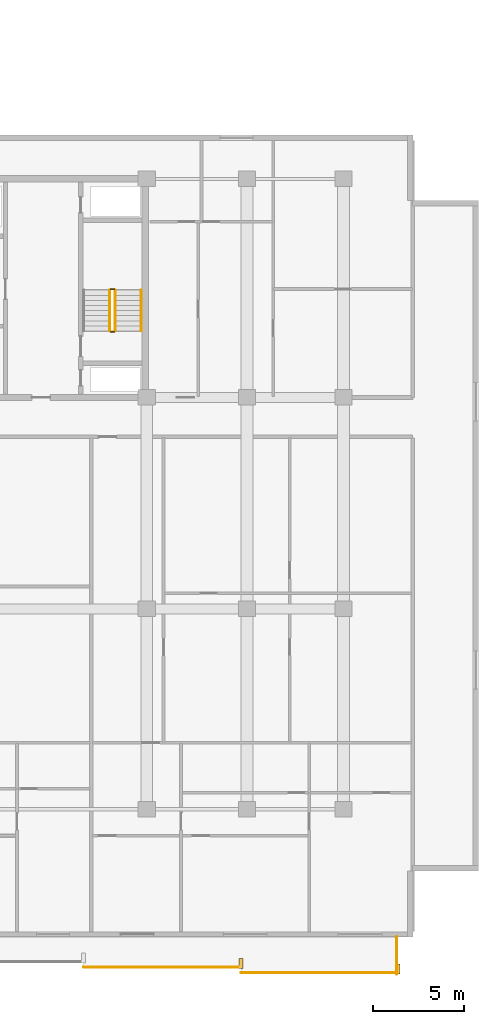
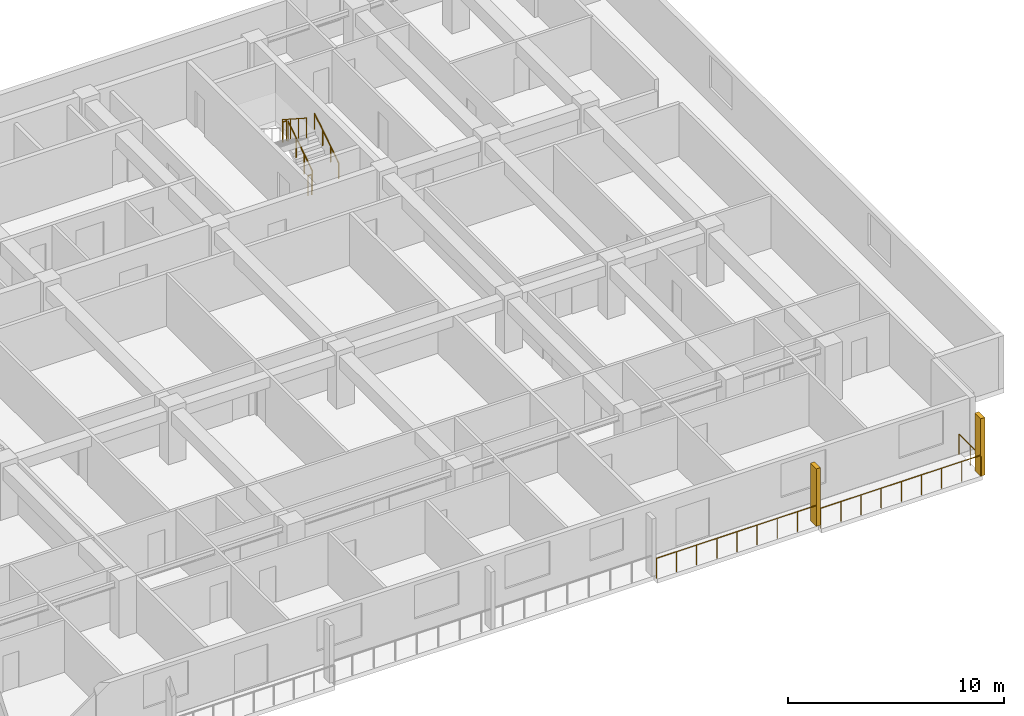
# One storey, part 21 of 23: 8 railings, 2 shading devices.
"""IFC4 building model written with IfcOpenShell, lengths in metres."""

from ifc_helpers import new_model, si_unit, direction, frame, origin, origin_2d, place, context, subcontext, project, spatial, rectangle, circle, extrude, material, type_object, element, save


model = new_model("IFC4")

# Units and contexts
model_context = context("Model", 3, precision=1e-05, world=origin(), true_north=direction((0.0, 1.0)))
body_context = subcontext(model_context, "Body", "Model", "MODEL_VIEW")
ifc_project = project(units=[si_unit("LENGTHUNIT", "METRE"), si_unit("AREAUNIT", "SQUARE_METRE"), si_unit("VOLUMEUNIT", "CUBIC_METRE"), si_unit("PLANEANGLEUNIT", "RADIAN"), si_unit("MASSUNIT", "GRAM", prefix="KILO")], contexts=[model_context])

# Site, building, storey
site_placement = place(None, origin())
site = spatial("IfcSite", under=ifc_project, at=site_placement, CompositionType="ELEMENT")
building_placement = place(site_placement, origin())
building = spatial("IfcBuilding", under=site, at=building_placement, Name="Korimba Cascade Residences", CompositionType="ELEMENT")
storey_placement = place(building_placement, frame((0.0, 0.0, 56.5)))
storey = spatial("IfcBuildingStorey", under=building, at=storey_placement, Name="L15", CompositionType="ELEMENT", Elevation=56.5)

# Railings
ifc_material_1 = material(Name="Laminated Glass and Bronze Balustrade", Category="glass")
railing_type_1 = type_object("IfcRailingType", Name="RLG-LOG-1150", PredefinedType="BALUSTRADE", material=ifc_material_1)
railing_1_placement = place(storey_placement, frame((114.642822265625, -12.8701171875, 0.0)))
element("IfcRailing", 1, at=railing_1_placement, inside=storey, type_object=railing_type_1, Name="L15 Perimeter Guardrail RLG-L15-T2-LOG-05", PredefinedType="BALUSTRADE", context=body_context, shape_type="SweptSolid", body=[
    extrude(circle(Radius=0.02392578125, at=origin_2d()), frame((0.0, 0.0, 1.1259765625), z_axis=(1.0, 0.0, 0.0), x_axis=(0.0, 1.0, 0.0)), (0.0, 0.0, 1.0), 8.628662109375),
    extrude(circle(Radius=0.02099609375, at=origin_2d()), origin(), (0.0, 0.0, 1.0), 1.101806640625),
    extrude(circle(Radius=0.02099609375, at=origin_2d()), frame((1.07861328125, 0.0, 0.0)), (0.0, 0.0, 1.0), 1.101806640625),
    extrude(circle(Radius=0.02099609375, at=origin_2d()), frame((2.1572265625, 0.0, 0.0)), (0.0, 0.0, 1.0), 1.101806640625),
    extrude(circle(Radius=0.02099609375, at=origin_2d()), frame((3.23583984375, 0.0, 0.0)), (0.0, 0.0, 1.0), 1.101806640625),
    extrude(circle(Radius=0.02099609375, at=origin_2d()), frame((4.314453125, 0.0, 0.0)), (0.0, 0.0, 1.0), 1.101806640625),
    extrude(circle(Radius=0.02099609375, at=origin_2d()), frame((5.392822265625, 0.0, 0.0)), (0.0, 0.0, 1.0), 1.101806640625),
    extrude(circle(Radius=0.02099609375, at=origin_2d()), frame((6.471435546875, 0.0, 0.0)), (0.0, 0.0, 1.0), 1.101806640625),
    extrude(circle(Radius=0.02099609375, at=origin_2d()), frame((7.550048828125, 0.0, 0.0)), (0.0, 0.0, 1.0), 1.101806640625),
    extrude(circle(Radius=0.02099609375, at=origin_2d()), frame((8.628662109375, 0.0, 0.0)), (0.0, 0.0, 1.0), 1.101806640625),
])
railing_2_placement = place(storey_placement, frame((123.271484375, -13.169921875, 0.0)))
element("IfcRailing", 2, at=railing_2_placement, inside=storey, type_object=railing_type_1, Name="L15 Perimeter Guardrail RLG-L15-T2-LOG-06", PredefinedType="BALUSTRADE", context=body_context, shape_type="SweptSolid", body=[
    extrude(circle(Radius=0.02392578125, at=origin_2d()), frame((0.0, 0.0, 1.1259765625), z_axis=(1.0, 0.0, 0.0), x_axis=(0.0, 1.0, 0.0)), (0.0, 0.0, 1.0), 8.62841796875),
    extrude(circle(Radius=0.02099609375, at=origin_2d()), origin(), (0.0, 0.0, 1.0), 1.101806640625),
    extrude(circle(Radius=0.02099609375, at=origin_2d()), frame((1.07861328125, 0.0, 0.0)), (0.0, 0.0, 1.0), 1.101806640625),
    extrude(circle(Radius=0.02099609375, at=origin_2d()), frame((2.1572265625, 0.0, 0.0)), (0.0, 0.0, 1.0), 1.101806640625),
    extrude(circle(Radius=0.02099609375, at=origin_2d()), frame((3.235595703125, 0.0, 0.0)), (0.0, 0.0, 1.0), 1.101806640625),
    extrude(circle(Radius=0.02099609375, at=origin_2d()), frame((4.314208984375, 0.0, 0.0)), (0.0, 0.0, 1.0), 1.101806640625),
    extrude(circle(Radius=0.02099609375, at=origin_2d()), frame((5.392822265625, 0.0, 0.0)), (0.0, 0.0, 1.0), 1.101806640625),
    extrude(circle(Radius=0.02099609375, at=origin_2d()), frame((6.47119140625, 0.0, 0.0)), (0.0, 0.0, 1.0), 1.101806640625),
    extrude(circle(Radius=0.02099609375, at=origin_2d()), frame((7.5498046875, 0.0, 0.0)), (0.0, 0.0, 1.0), 1.101806640625),
    extrude(circle(Radius=0.02099609375, at=origin_2d()), frame((8.62841796875, 0.0, 0.0)), (0.0, 0.0, 1.0), 1.101806640625),
])
railing_3_placement = place(storey_placement, frame((131.820068359375, -13.25, 0.0)))
element("IfcRailing", 3, at=railing_3_placement, inside=storey, type_object=railing_type_1, Name="L15 Perimeter Guardrail RLG-L15-T2-LOG-07", PredefinedType="BALUSTRADE", context=body_context, shape_type="SweptSolid", body=[
    extrude(circle(Radius=0.02392578125, at=origin_2d()), frame((0.0, 0.0, 1.1259765625), z_axis=(0.0, 1.0, 0.0), x_axis=(-1.0, 0.0, 0.0)), (0.0, 0.0, 1.0), 2.050048828125),
    extrude(circle(Radius=0.02099609375, at=origin_2d()), origin(), (0.0, 0.0, 1.0), 1.101806640625),
    extrude(circle(Radius=0.02099609375, at=origin_2d()), frame((0.0, 1.02490234375, 0.0)), (0.0, 0.0, 1.0), 1.101806640625),
    extrude(circle(Radius=0.02099609375, at=origin_2d()), frame((0.0, 2.050048828125, 0.0)), (0.0, 0.0, 1.0), 1.101806640625),
])
ifc_material_2 = material(Name="Painted Steel Stairwell Guardrail", Category="steel")
railing_type_2 = type_object("IfcRailingType", Name="RLG-ST-GD1150", PredefinedType="GUARDRAIL", material=ifc_material_2)
railing_4_placement = place(storey_placement, frame((116.3701171875, 22.050048828125, 0.1806640625)))
element("IfcRailing", 4, at=railing_4_placement, inside=storey, type_object=railing_type_2, Name="L15 ST-E2 stair guard 1", PredefinedType="GUARDRAIL", context=body_context, shape_type="SweptSolid", body=[
    extrude(circle(Radius=0.02392578125, at=origin_2d()), frame((0.0, 0.0, 1.1259765625), z_axis=(0.0, 0.840436612492, 0.541909863706), x_axis=(-1.0, 0.0, 0.0)), (0.0, 0.0, 1.0), 2.665283203125),
    extrude(circle(Radius=0.02099609375, at=origin_2d()), origin(), (0.0, 0.0, 1.0), 1.101806640625),
    extrude(circle(Radius=0.02099609375, at=origin_2d()), frame((0.0, 0.74658203125, 0.4814453125)), (0.0, 0.0, 1.0), 1.101806640625),
    extrude(circle(Radius=0.02099609375, at=origin_2d()), frame((0.0, 1.493408203125, 0.962890625)), (0.0, 0.0, 1.0), 1.101806640625),
    extrude(circle(Radius=0.02099609375, at=origin_2d()), frame((0.0, 2.239990234375, 1.4443359375)), (0.0, 0.0, 1.0), 1.101806640625),
])
railing_5_placement = place(storey_placement, frame((116.320068359375, 24.340087890625, 1.625)))
element("IfcRailing", 5, at=railing_5_placement, inside=storey, type_object=railing_type_2, Name="L15 ST-E2 stair guard 2", PredefinedType="GUARDRAIL", context=body_context, shape_type="SweptSolid", body=[
    extrude(circle(Radius=0.02392578125, at=origin_2d()), frame((0.0, 0.0, 1.1259765625), z_axis=(-1.0, 0.0, 0.0), x_axis=(0.0, -1.0, 0.0)), (0.0, 0.0, 1.0), 0.199951171875),
    extrude(circle(Radius=0.02099609375, at=origin_2d()), origin(), (0.0, 0.0, 1.0), 1.101806640625),
    extrude(circle(Radius=0.02099609375, at=origin_2d()), frame((-0.199951171875, 0.0, 0.0)), (0.0, 0.0, 1.0), 1.101806640625),
])
railing_6_placement = place(storey_placement, frame((116.070068359375, 24.2900390625, 1.8056640625)))
element("IfcRailing", 6, at=railing_6_placement, inside=storey, type_object=railing_type_2, Name="L15 ST-E2 stair guard 3", PredefinedType="GUARDRAIL", context=body_context, shape_type="SweptSolid", body=[
    extrude(circle(Radius=0.02392578125, at=origin_2d()), frame((0.0, 0.0, 1.1259765625), z_axis=(0.0, -0.840436612492, 0.541909863706), x_axis=(1.0, 0.0, 0.0)), (0.0, 0.0, 1.0), 2.665283203125),
    extrude(circle(Radius=0.02099609375, at=origin_2d()), origin(), (0.0, 0.0, 1.0), 1.101806640625),
    extrude(circle(Radius=0.02099609375, at=origin_2d()), frame((0.0, -0.74658203125, 0.4814453125)), (0.0, 0.0, 1.0), 1.101806640625),
    extrude(circle(Radius=0.02099609375, at=origin_2d()), frame((0.0, -1.493408203125, 0.962890625)), (0.0, 0.0, 1.0), 1.101806640625),
    extrude(circle(Radius=0.02099609375, at=origin_2d()), frame((0.0, -2.239990234375, 1.4443359375)), (0.0, 0.0, 1.0), 1.101806640625),
])
railing_7_placement = place(storey_placement, frame((116.320068359375, 22.0, 0.0)))
element("IfcRailing", 7, at=railing_7_placement, inside=storey, type_object=railing_type_2, Name="L15 ST-E2 stair guard 4", PredefinedType="GUARDRAIL", context=body_context, shape_type="SweptSolid", body=[
    extrude(circle(Radius=0.02392578125, at=origin_2d()), frame((0.0, 0.0, 1.1259765625), z_axis=(-1.0, 0.0, 0.0), x_axis=(0.0, -1.0, 0.0)), (0.0, 0.0, 1.0), 0.199951171875),
    extrude(circle(Radius=0.02099609375, at=origin_2d()), origin(), (0.0, 0.0, 1.0), 1.101806640625),
    extrude(circle(Radius=0.02099609375, at=origin_2d()), frame((-0.199951171875, 0.0, 0.0)), (0.0, 0.0, 1.0), 1.101806640625),
])
ifc_material_3 = material(Name="Brushed Stainless Steel Handrail", Category="steel")
railing_type_3 = type_object("IfcRailingType", Name="RLG-ST-HR900", PredefinedType="HANDRAIL", material=ifc_material_3)
railing_8_placement = place(storey_placement, frame((117.7900390625, 22.050048828125, 0.364990234375)))
element("IfcRailing", 8, at=railing_8_placement, inside=storey, type_object=railing_type_3, Name="L15 ST-E2 stair handrail 1", PredefinedType="HANDRAIL", context=body_context, shape_type="SweptSolid", body=[
    extrude(circle(Radius=0.02392578125, at=origin_2d()), frame((0.0, 0.0, 0.8759765625), z_axis=(0.0, 0.840436612492, 0.541909863706), x_axis=(-1.0, 0.0, 0.0)), (0.0, 0.0, 1.0), 2.665283203125),
    extrude(circle(Radius=0.02099609375, at=origin_2d()), origin(), (0.0, 0.0, 1.0), 0.851806640625),
    extrude(circle(Radius=0.02099609375, at=origin_2d()), frame((0.0, 0.74658203125, 0.4814453125)), (0.0, 0.0, 1.0), 0.851806640625),
    extrude(circle(Radius=0.02099609375, at=origin_2d()), frame((0.0, 1.493408203125, 0.962890625)), (0.0, 0.0, 1.0), 0.851806640625),
    extrude(circle(Radius=0.02099609375, at=origin_2d()), frame((0.0, 2.239990234375, 1.4443359375)), (0.0, 0.0, 1.0), 0.851806640625),
])

# Shading devices
ifc_material_4 = material(Name="Honed Sandstone Precast Fin", Category="masonry")
shading_device_type = type_object("IfcShadingDeviceType", Name="SHD-FIN-550", PredefinedType="USERDEFINED", material=ifc_material_4)
for number, where, z_axis, x_axis, name in (
    (9, (123.271484375, -12.675048828125, 0.0), (0.0, 0.0, 1.0), (1.0, 0.0, 0.0), "L15 T2 Warm-Stone Loggia Fin 7"),
    (10, (131.89990234375, -12.97509765625, 0.0), (0.0, 0.0, 1.0), (1.0, 0.0, 0.0), "L15 T2 Warm-Stone Loggia Fin 8"),
):
    element("IfcShadingDevice", number, at=place(storey_placement, frame(where, z_axis=z_axis, x_axis=x_axis)), inside=storey, type_object=shading_device_type, Name=name, ObjectType="FIN", PredefinedType="USERDEFINED", context=body_context, shape_type="SweptSolid", body=[
        extrude(rectangle(XDim=0.219970703125, YDim=0.550048828125, at=origin_2d()), origin(), (0.0, 0.0, 1.0), 3.25),
    ])

save(model, "model.ifc")
